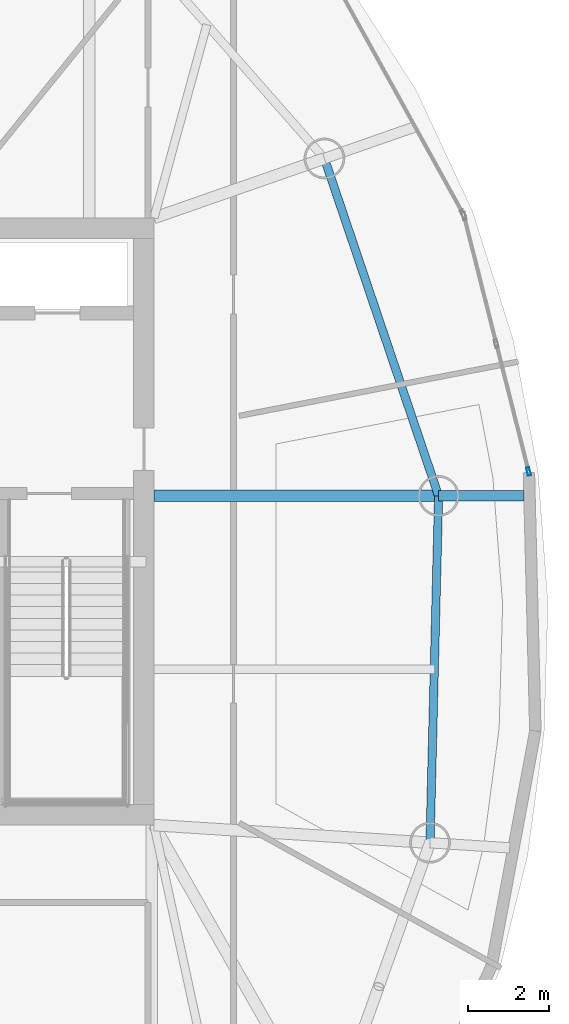
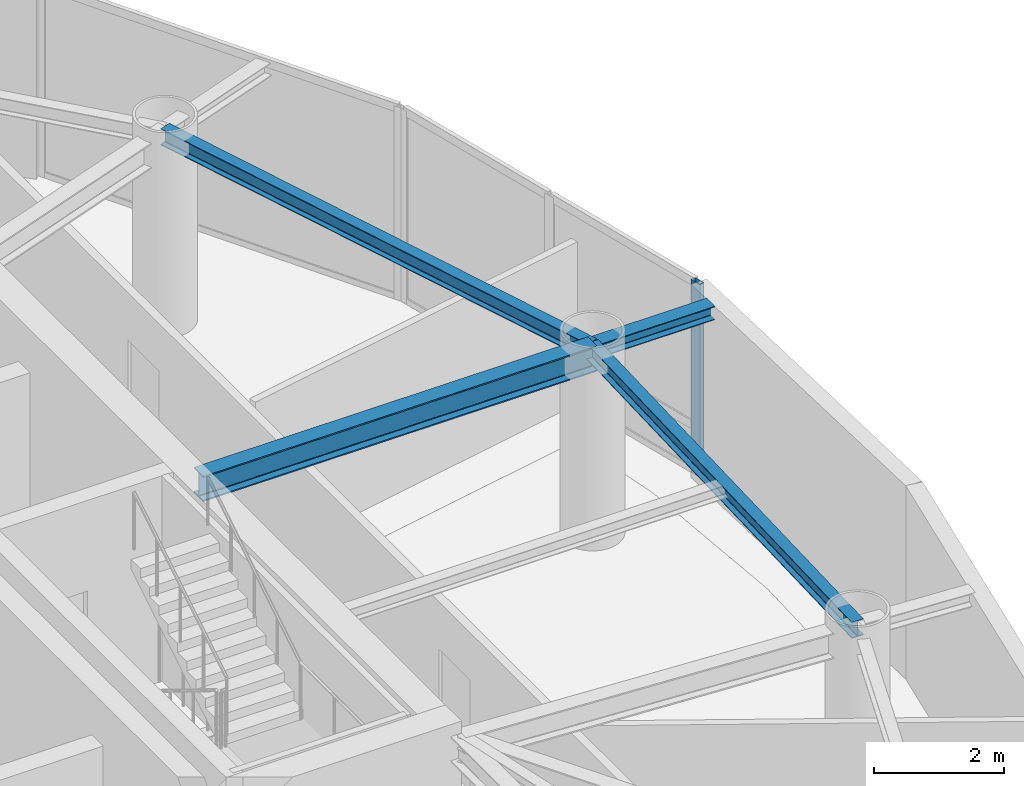
# One storey, part 8 of 20: 4 beams, 1 member, 1 element without a shape of its own.
"""IFC4 building model written with IfcOpenShell, lengths in metres."""

from ifc_helpers import new_model, si_unit, direction, frame, origin, origin_2d, place, context, subcontext, project, spatial, hollow_rectangle, i_section, extrude, material, layer, layer_set, material_profile, profile_set, type_object, element, aggregate, save


model = new_model("IFC4")

# Units and contexts
model_context = context("Model", 3, precision=1e-05, world=origin(), true_north=direction((0.0, 1.0)))
body_context = subcontext(model_context, "Body", "Model", "MODEL_VIEW")
ifc_project = project(units=[si_unit("LENGTHUNIT", "METRE"), si_unit("AREAUNIT", "SQUARE_METRE"), si_unit("VOLUMEUNIT", "CUBIC_METRE"), si_unit("PLANEANGLEUNIT", "RADIAN"), si_unit("MASSUNIT", "GRAM", prefix="KILO")], contexts=[model_context])

# Site, building, storey
site_placement = place(None, origin())
site = spatial("IfcSite", under=ifc_project, at=site_placement, CompositionType="ELEMENT")
building_placement = place(site_placement, origin())
building = spatial("IfcBuilding", under=site, at=building_placement, Name="Bramvorn Convention Spire", CompositionType="ELEMENT")
storey_placement = place(building_placement, frame((0.0, 0.0, 245.89990234375)))
storey = spatial("IfcBuildingStorey", under=building, at=storey_placement, Name="L62", CompositionType="ELEMENT", Elevation=245.89990234375)

# Beams
ifc_material_1 = material(Name="Steel CSA G40.21 Grade 350 (350W)", Category="steel")
ifc_material_profile_1 = material_profile(ifc_material_1, i_section(OverallWidth=0.25390625, OverallDepth=0.2529296875, WebThickness=0.008544921875, FlangeThickness=0.01416015625, FilletRadius=0.011962890625, at=origin_2d()))
ifc_profile_set_1 = profile_set([ifc_material_profile_1], Name="Steel CSA G40.21 Grade 350 (350W) - W250X73")
beam_type_1 = type_object("IfcBeamType", Name="BM-W250X73", PredefinedType="BEAM", material=ifc_profile_set_1)
beam_1_placement = place(storey_placement, frame((56.234619140625, 26.62939453125, 3.49853515625), z_axis=(1.0, 0.0, 0.0), x_axis=(0.0, 1.0, 0.0)))
element("IfcBeam", 1, at=beam_1_placement, inside=storey, type_object=beam_type_1, Name="L62 slab-edge cantilever tip beam MC04", PredefinedType="BEAM", context=body_context, shape_type="SweptSolid", body=[
    extrude(i_section(OverallWidth=0.25390625, OverallDepth=0.2529296875, WebThickness=0.008544921875, FlangeThickness=0.01416015625, FilletRadius=0.011962890625, at=origin_2d()), origin(), (0.0, 0.0, 1.0), 2.1005859375),
])
ifc_material_profile_2 = material_profile(ifc_material_1, i_section(OverallWidth=0.202880859375, OverallDepth=0.302978515625, WebThickness=0.007568359375, FlangeThickness=0.01318359375, FilletRadius=0.013916015625, at=origin_2d()))
ifc_profile_set_2 = profile_set([ifc_material_profile_2], Name="Steel CSA G40.21 Grade 350 (350W) - W310X60")
beam_type_2 = type_object("IfcBeamType", Name="BM-W310X60", PredefinedType="JOIST", material=ifc_profile_set_2)
beam_2_placement = place(storey_placement, frame((56.023681640625, 18.116455078125, 3.4736328125), z_axis=(0.024770853371, 0.999693155335, 0.0), x_axis=(-0.999693155335, 0.024770853371, 0.0)))
element("IfcBeam", 2, at=beam_2_placement, inside=storey, type_object=beam_type_2, Name="L62 mega-column ring beam 03", PredefinedType="JOIST", context=body_context, shape_type="SweptSolid", body=[
    extrude(i_section(OverallWidth=0.202880859375, OverallDepth=0.302978515625, WebThickness=0.007568359375, FlangeThickness=0.01318359375, FilletRadius=0.013916015625, at=origin_2d()), origin(), (0.0, 0.0, 1.0), 8.515625),
])
beam_3_placement = place(storey_placement, frame((56.234619140625, 26.62939453125, 3.4736328125), z_axis=(-0.320531023763, 0.947238018032, 0.0), x_axis=(-0.947238018032, -0.320531023763, 0.0)))
element("IfcBeam", 3, at=beam_3_placement, inside=storey, type_object=beam_type_2, Name="L62 mega-column ring beam 04", PredefinedType="JOIST", context=body_context, shape_type="SweptSolid", body=[
    extrude(i_section(OverallWidth=0.202880859375, OverallDepth=0.302978515625, WebThickness=0.007568359375, FlangeThickness=0.01318359375, FilletRadius=0.013916015625, at=origin_2d()), origin(), (0.0, 0.0, 1.0), 8.74169921875),
])
ifc_material_profile_3 = material_profile(ifc_material_1, i_section(OverallWidth=0.283935546875, OverallDepth=0.47607421875, WebThickness=0.014892578125, FlangeThickness=0.02392578125, FilletRadius=0.01806640625, at=origin_2d()))
ifc_profile_set_3 = profile_set([ifc_material_profile_3], Name="Steel CSA G40.21 Grade 350 (350W) - W460X158")
beam_type_3 = type_object("IfcBeamType", Name="BM-W460X158", PredefinedType="SPANDREL", material=ifc_profile_set_3)
beam_4_placement = place(storey_placement, frame((49.25, 26.62939453125, 3.38720703125), z_axis=(1.0, 0.0, 0.0), x_axis=(0.0, 1.0, 0.0)))
element("IfcBeam", 4, at=beam_4_placement, inside=storey, type_object=beam_type_3, Name="L62 radial floor girder MC04", PredefinedType="SPANDREL", context=body_context, shape_type="SweptSolid", body=[
    extrude(i_section(OverallWidth=0.283935546875, OverallDepth=0.47607421875, WebThickness=0.014892578125, FlangeThickness=0.02392578125, FilletRadius=0.01806640625, at=origin_2d()), origin(), (0.0, 0.0, 1.0), 6.984619140625),
])

# Curtain wall, member
ifc_material_2 = material(Name="Anodised Bronze Unitised Curtain Wall", Category="aluminium")
ifc_layer = layer(ifc_material_2, 0.179931640625)
ifc_layer_set = layer_set([ifc_layer], Name="Anodised Bronze Unitised Curtain Wall - CW-OFF-FRIT")
curtain_wall_type = type_object("IfcCurtainWallType", Name="CW-OFF-FRIT", PredefinedType="USERDEFINED", material=ifc_layer_set)
curtain_wall_placement = place(storey_placement, origin())
curtain_wall = element("IfcCurtainWall", 5, at=curtain_wall_placement, inside=storey, type_object=curtain_wall_type, Name="L62 fritted glass curtain wall 05", ObjectType="UNITISED CURTAIN WALL", PredefinedType="USERDEFINED")
ifc_material_3 = material(Name="Anodised Bronze Aluminium 6063-T6", Category="aluminium")
ifc_material_profile_4 = material_profile(ifc_material_3, hollow_rectangle(XDim=0.080078125, YDim=0.199951171875, WallThickness=0.00390625, InnerFilletRadius=0.0009765625, OuterFilletRadius=0.00390625, at=origin_2d()))
ifc_profile_set_4 = profile_set([ifc_material_profile_4], Name="Anodised Bronze Aluminium 6063-T6 - CWM80X200")
member_type = type_object("IfcMemberType", Name="CW-MUL-180", PredefinedType="MULLION", material=ifc_profile_set_4)
member_placement = place(storey_placement, frame((58.44384765625, 27.22900390625, 0.0), z_axis=(0.0, 0.0, 1.0), x_axis=(0.969477303814, 0.245181070619, 0.0)))
member = element("IfcMember", 6, at=member_placement, type_object=member_type, Name="CW3 mullion 3", PredefinedType="MULLION", context=body_context, shape_type="SweptSolid", body=[
    extrude(hollow_rectangle(XDim=0.080078125, YDim=0.199951171875, WallThickness=0.00390625, InnerFilletRadius=0.0009765625, OuterFilletRadius=0.00390625, at=origin_2d()), origin(), (0.0, 0.0, 1.0), 3.625),
])
aggregate(curtain_wall, [member])

save(model, "model.ifc")
